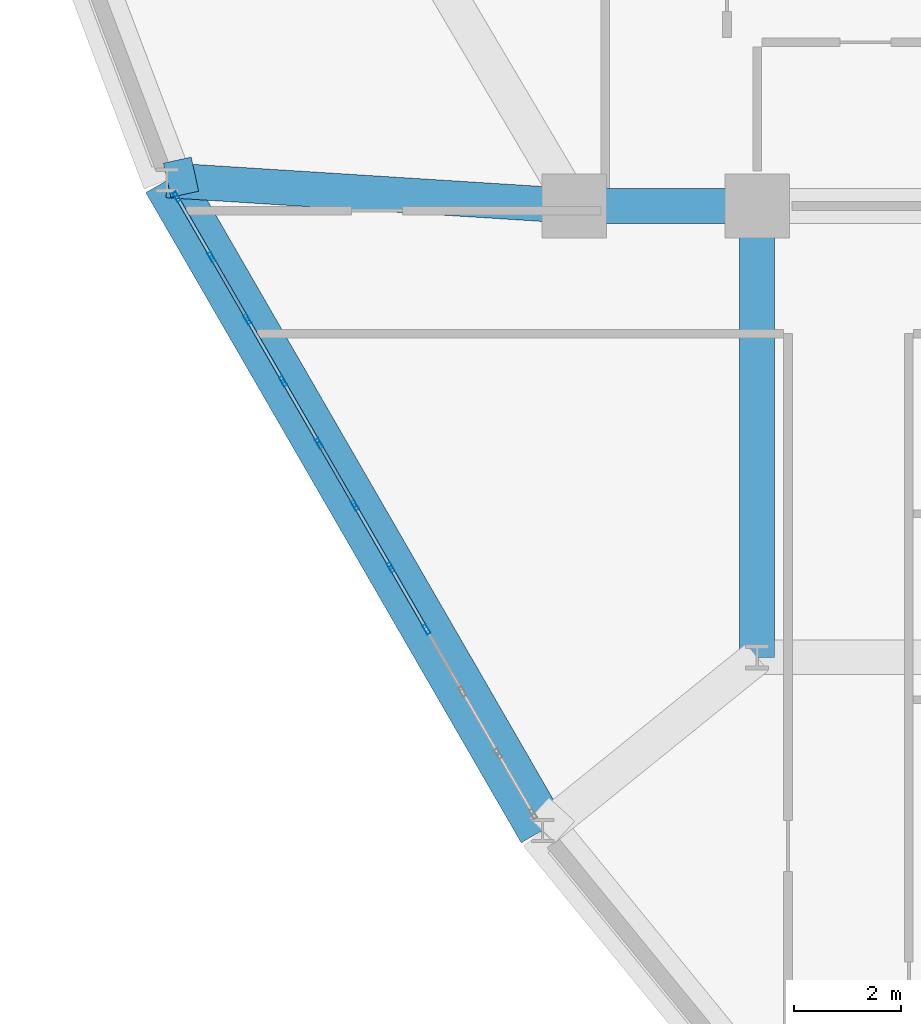
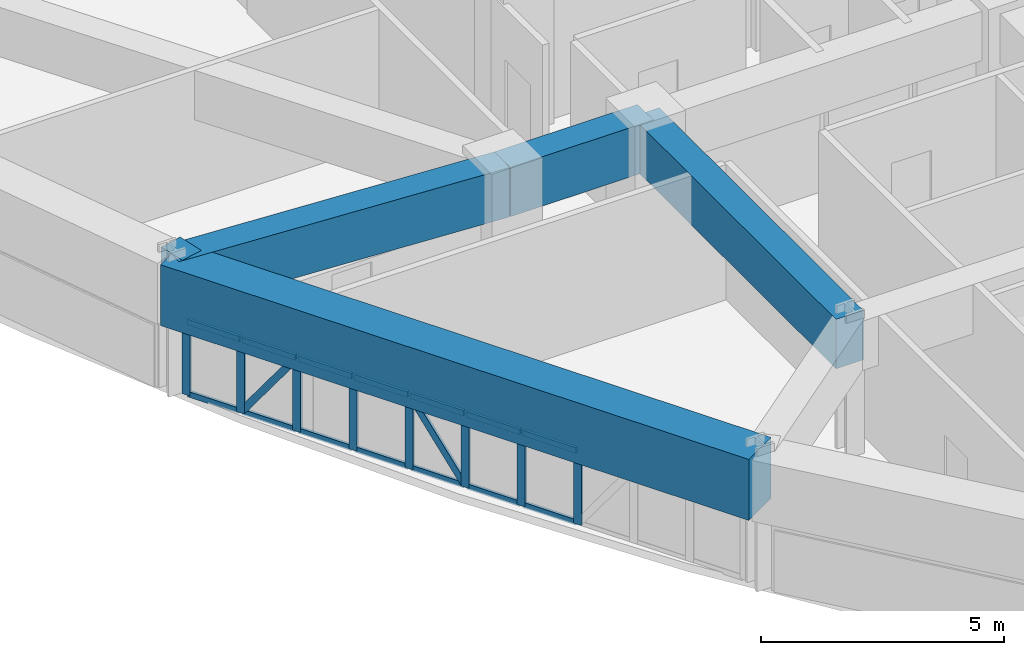
# One storey, part 4 of 15: 24 members, 5 beams, 1 element without a shape of its own.
"""IFC4 building model written with IfcOpenShell, lengths in metres."""

from ifc_helpers import new_model, si_unit, derived_unit, direction, frame, origin, origin_2d, place, context, subcontext, project, spatial, rectangle, hollow_rectangle, extrude, source, transform, mapped, material, layer, layer_set, material_profile, profile_set, type_object, element, aggregate, save


model = new_model("IFC4")

# Units and contexts
model_context = context("Model", 3, precision=1e-05, world=origin(), true_north=direction((0.0, 1.0)))
body_context = subcontext(model_context, "Body", "Model", "MODEL_VIEW")
ifc_project = project(units=[si_unit("LENGTHUNIT", "METRE"), si_unit("AREAUNIT", "SQUARE_METRE"), si_unit("VOLUMEUNIT", "CUBIC_METRE"), si_unit("PLANEANGLEUNIT", "RADIAN"), si_unit("MASSUNIT", "GRAM", prefix="KILO"), derived_unit("THERMALTRANSMITTANCEUNIT", [(si_unit("POWERUNIT", "WATT"), 1), (si_unit("LENGTHUNIT", "METRE"), -2), (si_unit("THERMODYNAMICTEMPERATUREUNIT", "KELVIN"), -1)])], contexts=[model_context])

# Site, building, storey
site_placement = place(None, origin())
site = spatial("IfcSite", under=ifc_project, at=site_placement, CompositionType="ELEMENT")
building_placement = place(site_placement, origin())
building = spatial("IfcBuilding", under=site, at=building_placement, Name="Korsvarv Bourse and Concert Hall", CompositionType="ELEMENT")
storey_placement = place(building_placement, frame((0.0, 0.0, 117.0)))
storey = spatial("IfcBuildingStorey", under=building, at=storey_placement, Name="L29", CompositionType="ELEMENT", Elevation=117.0)

# Beams
ifc_material_1 = material(Name="Concrete C50/60", Category="concrete")
ifc_material_profile_1 = material_profile(ifc_material_1, rectangle(XDim=0.64990234375, YDim=1.239990234375, at=origin_2d()), Name="RC-BM 650x1240")
ifc_profile_set_1 = profile_set([ifc_material_profile_1], Name="Concrete C50/60")
beam_type_1 = type_object("IfcBeamType", Name="BM-TR-SPN", PredefinedType="BEAM", material=ifc_profile_set_1)
shared_shape_1 = source(origin(), body_context, "Body", "SweptSolid", [
    extrude(rectangle(XDim=0.64990234375, YDim=1.239990234375, at=origin_2d()), origin(), (0.0, 0.0, 1.0), 3.400146484375),
])
beam_1_placement = place(storey_placement, frame((24.199951171875, 32.39990234375, 2.780029296875), z_axis=(1.0, 0.0, 0.0), x_axis=(0.0, 1.0, 0.0)))
element("IfcBeam", 1, at=beam_1_placement, inside=storey, type_object=beam_type_1, Name="L29 beam B-TRS", PredefinedType="BEAM", context=body_context, shape_type="MappedRepresentation", body=[
    mapped(shared_shape_1, transform((0.0, 0.0, 0.0), scale=1.0)),
])
shared_shape_2 = source(origin(), body_context, "Body", "SweptSolid", [
    extrude(rectangle(XDim=0.64990234375, YDim=1.239990234375, at=origin_2d()), origin(), (0.0, 0.0, 1.0), 8.39990234375),
])
beam_2_placement = place(storey_placement, frame((27.60009765625, 24.0, 2.780029296875), z_axis=(0.0, 1.0, 0.0), x_axis=(-1.0, 0.0, 0.0)))
element("IfcBeam", 2, at=beam_2_placement, inside=storey, type_object=beam_type_1, Name="L29 beam B-TRS", PredefinedType="BEAM", context=body_context, shape_type="MappedRepresentation", body=[
    mapped(shared_shape_2, transform((0.0, 0.0, 0.0), scale=1.0)),
])
ifc_material_profile_2 = material_profile(ifc_material_1, rectangle(XDim=0.919921875, YDim=1.530029296875, at=origin_2d()), Name="RC-BM 920x1530")
ifc_profile_set_2 = profile_set([ifc_material_profile_2], Name="Concrete C50/60")
beam_type_2 = type_object("IfcBeamType", Name="BM-TR-154", PredefinedType="BEAM", material=ifc_profile_set_2)
shared_shape_3 = source(origin(), body_context, "Body", "SweptSolid", [
    extrude(rectangle(XDim=0.919921875, YDim=1.530029296875, at=origin_2d()), origin(), (0.0, 0.0, 1.0), 13.97607421875),
])
beam_3_placement = place(storey_placement, frame((16.619140625, 32.87939453125, 2.635009765625), z_axis=(0.500003708422, -0.866023262716, 0.0), x_axis=(0.866023262716, 0.500003708422, 0.0)))
element("IfcBeam", 3, at=beam_3_placement, inside=storey, type_object=beam_type_2, Name="L29 beam B-TR6", PredefinedType="BEAM", context=body_context, shape_type="MappedRepresentation", body=[
    mapped(shared_shape_3, transform((0.0, 0.0, 0.0), scale=1.0)),
])
shared_shape_4 = source(origin(), body_context, "Body", "SweptSolid", [
    extrude(rectangle(XDim=0.64990234375, YDim=1.239990234375, at=origin_2d()), origin(), (0.0, 0.0, 1.0), 7.595947265625),
])
beam_4_placement = place(storey_placement, frame((16.619140625, 32.87939453125, 2.780029296875), z_axis=(0.998005651397, -0.063124636867, 0.0), x_axis=(0.063124636867, 0.998005651397, 0.0)))
element("IfcBeam", 4, at=beam_4_placement, inside=storey, type_object=beam_type_1, Name="L29 beam B-TRS", PredefinedType="BEAM", context=body_context, shape_type="MappedRepresentation", body=[
    mapped(shared_shape_4, transform((0.0, 0.0, 0.0), scale=1.0)),
])
shared_shape_5 = source(origin(), body_context, "Body", "SweptSolid", [
    extrude(rectangle(XDim=0.64990234375, YDim=1.239990234375, at=origin_2d()), origin(), (0.0, 0.0, 1.0), 0.528564453125),
])
beam_5_placement = place(storey_placement, frame((16.619140625, 32.87939453125, 2.780029296875), z_axis=(0.977272135556, 0.211988615416, 0.0), x_axis=(-0.211988615416, 0.977272135556, 0.0)))
element("IfcBeam", 5, at=beam_5_placement, inside=storey, type_object=beam_type_1, Name="L29 beam B-TRS", PredefinedType="BEAM", context=body_context, shape_type="MappedRepresentation", body=[
    mapped(shared_shape_5, transform((0.0, 0.0, 0.0), scale=1.0)),
])

# Curtain wall, members
ifc_material_2 = material(Name="Anodised aluminium and triple low-E glazing", Category="glass")
ifc_layer = layer(ifc_material_2, 0.2099609375)
ifc_layer_set = layer_set([ifc_layer], Name="Anodised aluminium and triple low-E glazing")
curtain_wall_type = type_object("IfcCurtainWallType", Name="CW-SYS-2", PredefinedType="NOTDEFINED", material=ifc_layer_set)
curtain_wall_placement = place(storey_placement, origin())
curtain_wall = element("IfcCurtainWall", 6, at=curtain_wall_placement, inside=storey, type_object=curtain_wall_type, Name="L29 CW2 curtain wall CW-L29-F07", PredefinedType="NOTDEFINED")
ifc_material_3 = material(Name="Extruded aluminium EN AW-6063 T66", Category="aluminium")
ifc_material_profile_3 = material_profile(ifc_material_3, hollow_rectangle(XDim=0.070068359375, YDim=0.18994140625, WallThickness=0.0048828125, at=origin_2d()), Name="ALU-M 70x190")
ifc_profile_set_3 = profile_set([ifc_material_profile_3], Name="Extruded aluminium EN AW-6063 T66")
member_type_1 = type_object("IfcMemberType", Name="CWM-190", PredefinedType="MULLION", material=ifc_profile_set_3)
shared_shape_6 = source(origin(), body_context, "Body", "SweptSolid", [
    extrude(hollow_rectangle(XDim=0.070068359375, YDim=0.18994140625, WallThickness=0.0048828125, at=origin_2d()), origin(), (0.0, 0.0, 1.0), 1.8701171875),
])
member_1_placement = place(storey_placement, frame((16.796875, 32.57177734375, 0.0), z_axis=(0.0, 0.0, 1.0), x_axis=(0.866021744853, 0.500006337402, 0.0)))
member_1 = element("IfcMember", 7, at=member_1_placement, type_object=member_type_1, Name="CW2 mullion 1", PredefinedType="MULLION", context=body_context, shape_type="MappedRepresentation", body=[
    mapped(shared_shape_6, transform((0.0, 0.0, 0.0), scale=1.0)),
])
member_2_placement = place(storey_placement, frame((17.446044921875, 31.447021484375, 0.0), z_axis=(0.0, 0.0, 1.0), x_axis=(0.866021744853, 0.500006337402, 0.0)))
member_2 = element("IfcMember", 8, at=member_2_placement, type_object=member_type_1, Name="CW2 mullion 2", PredefinedType="MULLION", context=body_context, shape_type="MappedRepresentation", body=[
    mapped(shared_shape_6, transform((0.0, 0.0, 0.0), scale=1.0)),
])
member_3_placement = place(storey_placement, frame((18.11279296875, 30.292236328125, 0.0), z_axis=(0.0, 0.0, 1.0), x_axis=(0.866021744853, 0.500006337402, 0.0)))
member_3 = element("IfcMember", 9, at=member_3_placement, type_object=member_type_1, Name="CW2 mullion 3", PredefinedType="MULLION", context=body_context, shape_type="MappedRepresentation", body=[
    mapped(shared_shape_6, transform((0.0, 0.0, 0.0), scale=1.0)),
])
member_4_placement = place(storey_placement, frame((18.779541015625, 29.137451171875, 0.0), z_axis=(0.0, 0.0, 1.0), x_axis=(0.866021744853, 0.500006337402, 0.0)))
member_4 = element("IfcMember", 10, at=member_4_placement, type_object=member_type_1, Name="CW2 mullion 4", PredefinedType="MULLION", context=body_context, shape_type="MappedRepresentation", body=[
    mapped(shared_shape_6, transform((0.0, 0.0, 0.0), scale=1.0)),
])
member_5_placement = place(storey_placement, frame((19.4462890625, 27.982666015625, 0.0), z_axis=(0.0, 0.0, 1.0), x_axis=(0.866021744853, 0.500006337402, 0.0)))
member_5 = element("IfcMember", 11, at=member_5_placement, type_object=member_type_1, Name="CW2 mullion 5", PredefinedType="MULLION", context=body_context, shape_type="MappedRepresentation", body=[
    mapped(shared_shape_6, transform((0.0, 0.0, 0.0), scale=1.0)),
])
member_6_placement = place(storey_placement, frame((20.113037109375, 26.82763671875, 0.0), z_axis=(0.0, 0.0, 1.0), x_axis=(0.866021744853, 0.500006337402, 0.0)))
member_6 = element("IfcMember", 12, at=member_6_placement, type_object=member_type_1, Name="CW2 mullion 6", PredefinedType="MULLION", context=body_context, shape_type="MappedRepresentation", body=[
    mapped(shared_shape_6, transform((0.0, 0.0, 0.0), scale=1.0)),
])
member_7_placement = place(storey_placement, frame((20.780029296875, 25.6728515625, 0.0), z_axis=(0.0, 0.0, 1.0), x_axis=(0.866021744853, 0.500006337402, 0.0)))
member_7 = element("IfcMember", 13, at=member_7_placement, type_object=member_type_1, Name="CW2 mullion 7", PredefinedType="MULLION", context=body_context, shape_type="MappedRepresentation", body=[
    mapped(shared_shape_6, transform((0.0, 0.0, 0.0), scale=1.0)),
])
member_8_placement = place(storey_placement, frame((21.44677734375, 24.51806640625, 0.0), z_axis=(0.0, 0.0, 1.0), x_axis=(0.866021744853, 0.500006337402, 0.0)))
member_8 = element("IfcMember", 14, at=member_8_placement, type_object=member_type_1, Name="CW2 mullion 8", PredefinedType="MULLION", context=body_context, shape_type="MappedRepresentation", body=[
    mapped(shared_shape_6, transform((0.0, 0.0, 0.0), scale=1.0)),
])
ifc_material_profile_4 = material_profile(ifc_material_3, hollow_rectangle(XDim=0.06494140625, YDim=0.139892578125, WallThickness=0.00390625, at=origin_2d()), Name="ALU-T 65x140")
ifc_profile_set_4 = profile_set([ifc_material_profile_4], Name="Extruded aluminium EN AW-6063 T66")
member_type_2 = type_object("IfcMemberType", Name="CWT-140", PredefinedType="USERDEFINED", material=ifc_profile_set_4)
shared_shape_7 = source(origin(), body_context, "Body", "SweptSolid", [
    extrude(hollow_rectangle(XDim=0.06494140625, YDim=0.139892578125, WallThickness=0.00390625, at=origin_2d()), origin(), (0.0, 0.0, 1.0), 1.228271484375),
])
member_9_placement = place(storey_placement, frame((16.814208984375, 32.541259765625, 0.032470703125), z_axis=(0.500072277755, -0.865983670182, 0.0), x_axis=(0.865983670182, 0.500072277755, 0.0)))
member_9 = element("IfcMember", 15, at=member_9_placement, type_object=member_type_2, Name="CW2 transom 1.1", ObjectType="TRANSOM", PredefinedType="USERDEFINED", context=body_context, shape_type="MappedRepresentation", body=[
    mapped(shared_shape_7, transform((0.0, 0.0, 0.0), scale=1.0)),
])
member_10_placement = place(storey_placement, frame((16.814208984375, 32.541259765625, 1.83740234375), z_axis=(0.500072277755, -0.865983670182, 0.0), x_axis=(0.865983670182, 0.500072277755, 0.0)))
member_10 = element("IfcMember", 16, at=member_10_placement, type_object=member_type_2, Name="CW2 transom 1.2", ObjectType="TRANSOM", PredefinedType="USERDEFINED", context=body_context, shape_type="MappedRepresentation", body=[
    mapped(shared_shape_7, transform((0.0, 0.0, 0.0), scale=1.0)),
])
shared_shape_8 = source(origin(), body_context, "Body", "SweptSolid", [
    extrude(hollow_rectangle(XDim=0.06494140625, YDim=0.139892578125, WallThickness=0.00390625, at=origin_2d()), origin(), (0.0, 0.0, 1.0), 1.263671875),
])
member_11_placement = place(storey_placement, frame((17.463623046875, 31.416748046875, 0.032470703125), z_axis=(0.500045805297, -0.865998956469, 0.0), x_axis=(0.865998956469, 0.500045805297, 0.0)))
member_11 = element("IfcMember", 17, at=member_11_placement, type_object=member_type_2, Name="CW2 transom 2.1", ObjectType="TRANSOM", PredefinedType="USERDEFINED", context=body_context, shape_type="MappedRepresentation", body=[
    mapped(shared_shape_8, transform((0.0, 0.0, 0.0), scale=1.0)),
])
member_12_placement = place(storey_placement, frame((17.463623046875, 31.416748046875, 1.83740234375), z_axis=(0.500045805297, -0.865998956469, 0.0), x_axis=(0.865998956469, 0.500045805297, 0.0)))
member_12 = element("IfcMember", 18, at=member_12_placement, type_object=member_type_2, Name="CW2 transom 2.2", ObjectType="TRANSOM", PredefinedType="USERDEFINED", context=body_context, shape_type="MappedRepresentation", body=[
    mapped(shared_shape_8, transform((0.0, 0.0, 0.0), scale=1.0)),
])
member_13_placement = place(storey_placement, frame((18.13037109375, 30.261962890625, 0.032470703125), z_axis=(0.500045805297, -0.865998956469, 0.0), x_axis=(0.865998956469, 0.500045805297, 0.0)))
member_13 = element("IfcMember", 19, at=member_13_placement, type_object=member_type_2, Name="CW2 transom 3.1", ObjectType="TRANSOM", PredefinedType="USERDEFINED", context=body_context, shape_type="MappedRepresentation", body=[
    mapped(shared_shape_8, transform((0.0, 0.0, 0.0), scale=1.0)),
])
member_14_placement = place(storey_placement, frame((18.13037109375, 30.261962890625, 1.83740234375), z_axis=(0.500045805297, -0.865998956469, 0.0), x_axis=(0.865998956469, 0.500045805297, 0.0)))
member_14 = element("IfcMember", 20, at=member_14_placement, type_object=member_type_2, Name="CW2 transom 3.2", ObjectType="TRANSOM", PredefinedType="USERDEFINED", context=body_context, shape_type="MappedRepresentation", body=[
    mapped(shared_shape_8, transform((0.0, 0.0, 0.0), scale=1.0)),
])
member_15_placement = place(storey_placement, frame((18.797119140625, 29.107177734375, 0.032470703125), z_axis=(0.500045805297, -0.865998956469, 0.0), x_axis=(0.865998956469, 0.500045805297, 0.0)))
member_15 = element("IfcMember", 21, at=member_15_placement, type_object=member_type_2, Name="CW2 transom 4.1", ObjectType="TRANSOM", PredefinedType="USERDEFINED", context=body_context, shape_type="MappedRepresentation", body=[
    mapped(shared_shape_8, transform((0.0, 0.0, 0.0), scale=1.0)),
])
member_16_placement = place(storey_placement, frame((18.797119140625, 29.107177734375, 1.83740234375), z_axis=(0.500045805297, -0.865998956469, 0.0), x_axis=(0.865998956469, 0.500045805297, 0.0)))
member_16 = element("IfcMember", 22, at=member_16_placement, type_object=member_type_2, Name="CW2 transom 4.2", ObjectType="TRANSOM", PredefinedType="USERDEFINED", context=body_context, shape_type="MappedRepresentation", body=[
    mapped(shared_shape_8, transform((0.0, 0.0, 0.0), scale=1.0)),
])
member_17_placement = place(storey_placement, frame((19.4638671875, 27.9521484375, 0.032470703125), z_axis=(0.500045805297, -0.865998956469, 0.0), x_axis=(0.865998956469, 0.500045805297, 0.0)))
member_17 = element("IfcMember", 23, at=member_17_placement, type_object=member_type_2, Name="CW2 transom 5.1", ObjectType="TRANSOM", PredefinedType="USERDEFINED", context=body_context, shape_type="MappedRepresentation", body=[
    mapped(shared_shape_8, transform((0.0, 0.0, 0.0), scale=1.0)),
])
member_18_placement = place(storey_placement, frame((19.4638671875, 27.9521484375, 1.83740234375), z_axis=(0.500045805297, -0.865998956469, 0.0), x_axis=(0.865998956469, 0.500045805297, 0.0)))
member_18 = element("IfcMember", 24, at=member_18_placement, type_object=member_type_2, Name="CW2 transom 5.2", ObjectType="TRANSOM", PredefinedType="USERDEFINED", context=body_context, shape_type="MappedRepresentation", body=[
    mapped(shared_shape_8, transform((0.0, 0.0, 0.0), scale=1.0)),
])
member_19_placement = place(storey_placement, frame((20.130615234375, 26.79736328125, 0.032470703125), z_axis=(0.500045805297, -0.865998956469, 0.0), x_axis=(0.865998956469, 0.500045805297, 0.0)))
member_19 = element("IfcMember", 25, at=member_19_placement, type_object=member_type_2, Name="CW2 transom 6.1", ObjectType="TRANSOM", PredefinedType="USERDEFINED", context=body_context, shape_type="MappedRepresentation", body=[
    mapped(shared_shape_8, transform((0.0, 0.0, 0.0), scale=1.0)),
])
member_20_placement = place(storey_placement, frame((20.130615234375, 26.79736328125, 1.83740234375), z_axis=(0.500045805297, -0.865998956469, 0.0), x_axis=(0.865998956469, 0.500045805297, 0.0)))
member_20 = element("IfcMember", 26, at=member_20_placement, type_object=member_type_2, Name="CW2 transom 6.2", ObjectType="TRANSOM", PredefinedType="USERDEFINED", context=body_context, shape_type="MappedRepresentation", body=[
    mapped(shared_shape_8, transform((0.0, 0.0, 0.0), scale=1.0)),
])
member_21_placement = place(storey_placement, frame((20.79736328125, 25.642578125, 0.032470703125), z_axis=(0.500045805297, -0.865998956469, 0.0), x_axis=(0.865998956469, 0.500045805297, 0.0)))
member_21 = element("IfcMember", 27, at=member_21_placement, type_object=member_type_2, Name="CW2 transom 7.1", ObjectType="TRANSOM", PredefinedType="USERDEFINED", context=body_context, shape_type="MappedRepresentation", body=[
    mapped(shared_shape_8, transform((0.0, 0.0, 0.0), scale=1.0)),
])
member_22_placement = place(storey_placement, frame((20.79736328125, 25.642578125, 1.83740234375), z_axis=(0.500045805297, -0.865998956469, 0.0), x_axis=(0.865998956469, 0.500045805297, 0.0)))
member_22 = element("IfcMember", 28, at=member_22_placement, type_object=member_type_2, Name="CW2 transom 7.2", ObjectType="TRANSOM", PredefinedType="USERDEFINED", context=body_context, shape_type="MappedRepresentation", body=[
    mapped(shared_shape_8, transform((0.0, 0.0, 0.0), scale=1.0)),
])
ifc_material_profile_5 = material_profile(ifc_material_3, hollow_rectangle(XDim=0.06494140625, YDim=0.1650390625, WallThickness=0.0048828125, at=origin_2d()), Name="ALU-M 65x165")
ifc_profile_set_5 = profile_set([ifc_material_profile_5], Name="Extruded aluminium EN AW-6063 T66")
member_type_3 = type_object("IfcMemberType", Name="CWM-165", PredefinedType="MULLION", material=ifc_profile_set_5)
shared_shape_9 = source(origin(), body_context, "Body", "SweptSolid", [
    extrude(hollow_rectangle(XDim=0.06494140625, YDim=0.1650390625, WallThickness=0.0048828125, at=origin_2d()), origin(), (0.0, 0.0, 1.0), 2.150390625),
])
member_23_placement = place(storey_placement, frame((17.463623046875, 31.416748046875, 0.06494140625), z_axis=(0.293825059629, -0.508857773283, 0.809154250377), x_axis=(0.865998956469, 0.500045805297, 0.0)))
member_23 = element("IfcMember", 29, at=member_23_placement, type_object=member_type_3, Name="CW2 diagonal mullion 2", PredefinedType="MULLION", context=body_context, shape_type="MappedRepresentation", body=[
    mapped(shared_shape_9, transform((0.0, 0.0, 0.0), scale=1.0)),
])
member_24_placement = place(storey_placement, frame((20.095703125, 26.85791015625, 0.06494140625), z_axis=(-0.293825059629, 0.508857773283, 0.809154250377), x_axis=(-0.865998956469, -0.500045805297, 0.0)))
member_24 = element("IfcMember", 30, at=member_24_placement, type_object=member_type_3, Name="CW2 diagonal mullion 5", PredefinedType="MULLION", context=body_context, shape_type="MappedRepresentation", body=[
    mapped(shared_shape_9, transform((0.0, 0.0, 0.0), scale=1.0)),
])
aggregate(curtain_wall, [member_1, member_2, member_3, member_4, member_5, member_6, member_7, member_8, member_9, member_10, member_11, member_12, member_23, member_13, member_14, member_15, member_16, member_17, member_18, member_24, member_19, member_20, member_21, member_22])

save(model, "model.ifc")
